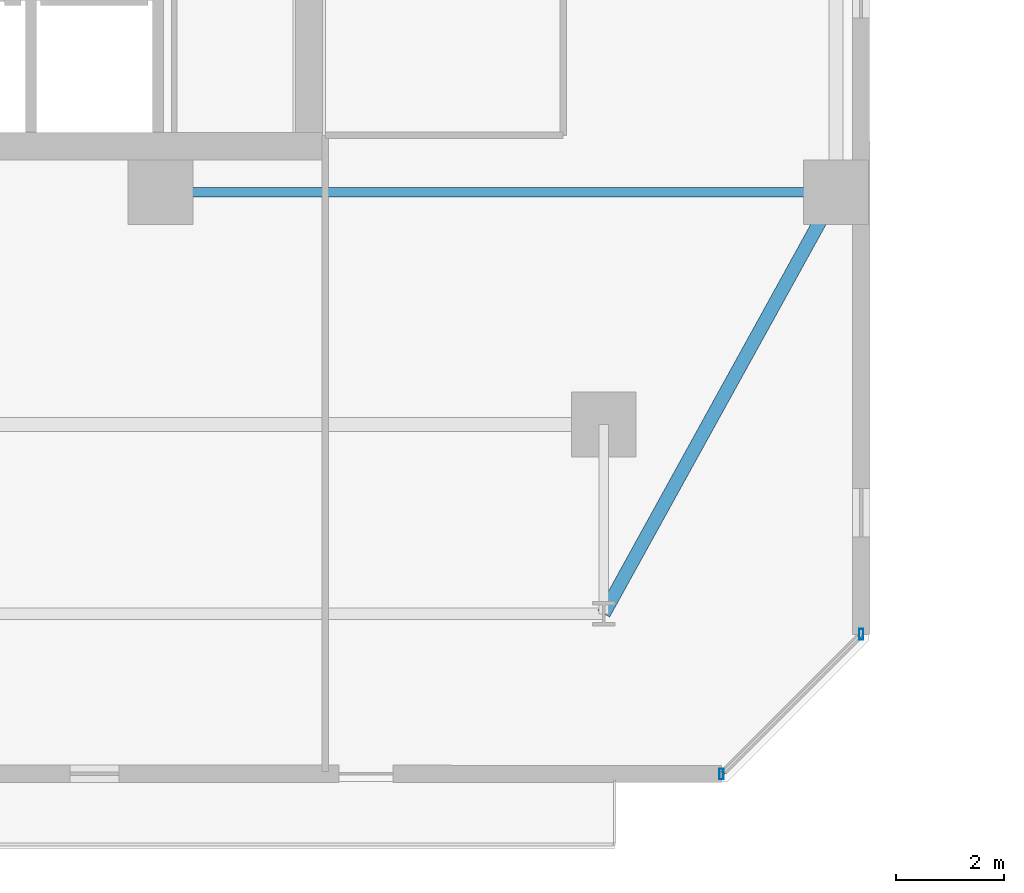
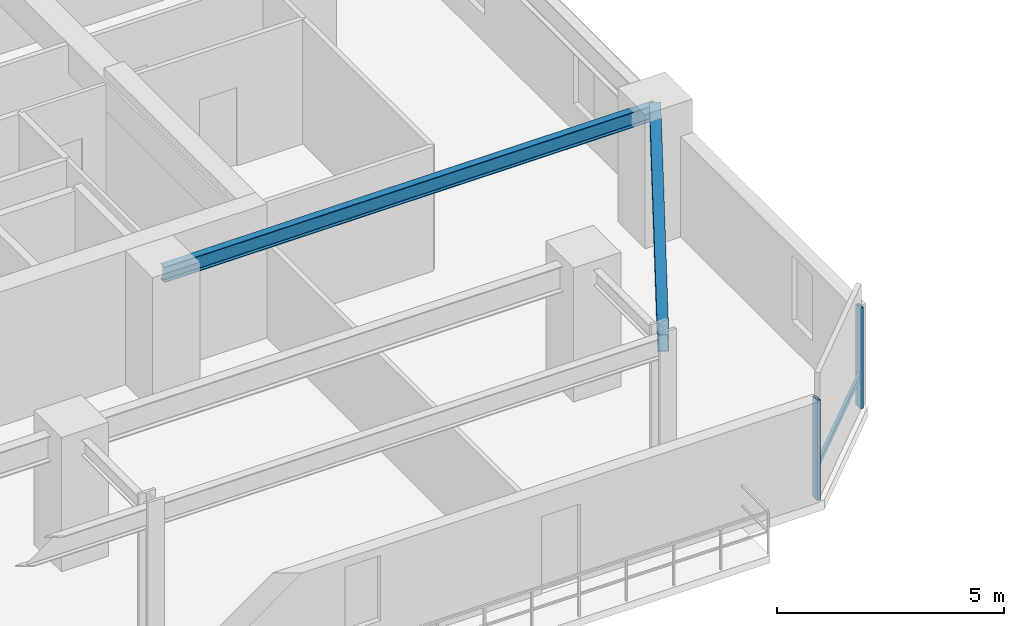
# One storey, part 5 of 32: 3 members, 2 beams, 1 element without a shape of its own.
"""IFC4 building model written with IfcOpenShell, lengths in metres."""

import ifcopenshell
import ifcopenshell.guid

model = None  # the IFC model being written
_history = None  # IfcOwnerHistory: only IFC2X3 demands one
_inside = {}  # id of a spatial element -> (the spatial element, [elements in it])
_under = {}  # id of a project, library or spatial element -> (it, [spatial elements below it])
_declared = {}  # id of a project -> (the project, [libraries it declares])
_typed = {}  # id of a type object -> (the type object, [elements of that type])
_made_of = {}  # id of a material, layer set ... -> (it, [elements and type objects made of it])


def new_model(schema):
    """Start an empty IFC model of exactly this schema.

    Asked for "IFC4X3", IfcOpenShell would pick the latest addendum, in which some entities
    have other attributes; the version numbers below select the first issue.
    IFC2X3 requires an IfcOwnerHistory on every rooted entity: one is made here for all.
    """
    global model, _history
    if schema == "IFC4X3":
        model = ifcopenshell.file(schema_version=(4, 3, 0, 0))
    else:
        model = ifcopenshell.file(schema=schema)
    _inside.clear()
    _under.clear()
    _declared.clear()
    _typed.clear()
    _made_of.clear()
    _history = None
    if model.schema == "IFC2X3":
        org = make("IfcOrganization", Name="unknown")
        user = make(
            "IfcPersonAndOrganization",
            ThePerson=make("IfcPerson", FamilyName="unknown"),
            TheOrganization=org,
        )
        app = make(
            "IfcApplication",
            ApplicationDeveloper=org,
            Version="unknown",
            ApplicationFullName="unknown",
            ApplicationIdentifier="unknown",
        )
        _history = make(
            "IfcOwnerHistory",
            OwningUser=user,
            OwningApplication=app,
            ChangeAction="ADDED",
            CreationDate=0,
        )
    return model


def make(cls, **values):
    """One entity of the class cls with the attributes given. An attribute that is None is left unset."""
    return model.create_entity(
        cls, **{name: value for name, value in values.items() if value is not None}
    )


def rooted(cls, **values):
    """An entity with a GlobalId (a new one), such as an element, a storey or a relation."""
    return make(cls, GlobalId=ifcopenshell.guid.new(), OwnerHistory=_history, **values)


def si_unit(unit_type, name, prefix=None):
    """IfcSIUnit, for example si_unit("LENGTHUNIT", "METRE", prefix="MILLI")."""
    return make("IfcSIUnit", UnitType=unit_type, Prefix=prefix, Name=name)


def assignment(units):
    """IfcUnitAssignment: the units of a project."""
    return None if units is None else make("IfcUnitAssignment", Units=units)


def point(xyz):
    """IfcCartesianPoint."""
    return None if xyz is None else make("IfcCartesianPoint", Coordinates=xyz)


def direction(xyz):
    """IfcDirection."""
    return None if xyz is None else make("IfcDirection", DirectionRatios=xyz)


def frame(location, z_axis=None, x_axis=None):
    """IfcAxis2Placement3D, a coordinate frame: its origin and axes. An axis left out is left unset."""
    return make(
        "IfcAxis2Placement3D",
        Location=point(location),
        Axis=direction(z_axis),
        RefDirection=direction(x_axis),
    )


def frame_2d(location, x_axis=None):
    """IfcAxis2Placement2D, a coordinate frame in the plane: its origin and x axis."""
    return make(
        "IfcAxis2Placement2D", Location=point(location), RefDirection=direction(x_axis)
    )


def origin():
    """The frame at (0, 0, 0) with its axes left unset."""
    return frame((0.0, 0.0, 0.0))


def origin_2d():
    """The frame at (0, 0) in the plane with its x axis left unset."""
    return frame_2d((0.0, 0.0))


def place(relative_to, where):
    """IfcLocalPlacement: puts the frame where relative to a parent placement (None: the world)."""
    return make(
        "IfcLocalPlacement", PlacementRelTo=relative_to, RelativePlacement=where
    )


def context(
    kind, dimensions, precision=None, world=None, true_north=None, identifier=None
):
    """IfcGeometricRepresentationContext, for example the 3D "Model" context."""
    return make(
        "IfcGeometricRepresentationContext",
        ContextIdentifier=identifier,
        ContextType=kind,
        CoordinateSpaceDimension=dimensions,
        Precision=precision,
        WorldCoordinateSystem=world,
        TrueNorth=true_north,
    )


def subcontext(parent, identifier, kind, view, scale=None):
    """IfcGeometricRepresentationSubContext, for example "Body" below "Model"."""
    return make(
        "IfcGeometricRepresentationSubContext",
        ContextIdentifier=identifier,
        ContextType=kind,
        ParentContext=parent,
        TargetScale=scale,
        TargetView=view,
    )


def project(units=None, contexts=None):
    """IfcProject with its units and contexts."""
    return rooted(
        "IfcProject",
        Name="project",
        RepresentationContexts=contexts,
        UnitsInContext=assignment(units),
    )


def spatial(cls, under=None, at=None, **own):
    """A site, building, storey or space (cls), placed at a placement, below another one or the project."""
    s = rooted(cls, ObjectPlacement=at, **own)
    if under is not None:
        _under.setdefault(under.id(), (under, []))[1].append(s)
    return s


def profile(cls, at=None, kind="AREA", **sizes):
    """A parametric profile (cls). Its sizes go by their IFC names, for example OverallWidth=200.0."""
    return make(cls, ProfileType=kind, Position=at, **sizes)


def hollow_rectangle(**sizes):
    """IfcRectangleHollowProfileDef."""
    return profile("IfcRectangleHollowProfileDef", **sizes)


def i_section(**sizes):
    """IfcIShapeProfileDef."""
    return profile("IfcIShapeProfileDef", **sizes)


def extrude(swept, where, along, depth):
    """IfcExtrudedAreaSolid: the profile swept, set in the frame where, extruded along a direction by depth."""
    return make(
        "IfcExtrudedAreaSolid",
        SweptArea=swept,
        Position=where,
        ExtrudedDirection=direction(along),
        Depth=depth,
    )


def shape(context_of_items, identifier, shape_type, items):
    """IfcShapeRepresentation: the items that make up one representation, for example the "Body"."""
    return make(
        "IfcShapeRepresentation",
        ContextOfItems=context_of_items,
        RepresentationIdentifier=identifier,
        RepresentationType=shape_type,
        Items=items,
    )


def material(Name=None, Category=None):
    """IfcMaterial."""
    return make("IfcMaterial", Name=Name, Category=Category)


def material_profile(
    of_material, cross_section, Name=None, Category=None, Priority=None
):
    """IfcMaterialProfile: a cross section and its material."""
    return make(
        "IfcMaterialProfile",
        Name=Name,
        Material=of_material,
        Profile=cross_section,
        Priority=Priority,
        Category=Category,
    )


def profile_set(profiles, Name=None, composite=None):
    """IfcMaterialProfileSet."""
    return make(
        "IfcMaterialProfileSet",
        Name=Name,
        MaterialProfiles=profiles,
        CompositeProfile=composite,
    )


def made_of(thing, what):
    """Note that an element or type object is made of a material, layer set ...; save() writes the relation."""
    if what is not None:
        _made_of.setdefault(what.id(), (what, []))[1].append(thing)
    return thing


def type_object(cls, material=None, **own):
    """A type object (cls), such as IfcWallType, which elements share."""
    return made_of(rooted(cls, **own), material)


def element(
    cls,
    number,
    at=None,
    inside=None,
    cuts=None,
    type_object=None,
    material=None,
    context=None,
    identifier="Body",
    shape_type=None,
    held_by="IfcProductDefinitionShape",
    body=None,
    shapes=None,
    **own,
):
    """One element of the class cls, such as IfcWall. Its Tag is "e" and its number.

    at: its placement. inside: the storey or other place that contains it. cuts: it is an
    opening in that element (IfcRelVoidsElement). A single representation is given by context,
    identifier, shape_type and body (its items); several are given by shapes. held_by: the class
    of the entity that holds the representations. save() writes the other relations.
    """
    e = rooted(cls, Tag="e%d" % number, ObjectPlacement=at, **own)
    if body is not None:
        shapes = [shape(context, identifier, shape_type, body)]
    if shapes is not None:
        e.Representation = make(held_by, Representations=shapes)
    if inside is not None:
        _inside.setdefault(inside.id(), (inside, []))[1].append(e)
    if cuts is not None:
        rooted(
            "IfcRelVoidsElement", RelatingBuildingElement=cuts, RelatedOpeningElement=e
        )
    if type_object is not None:
        _typed.setdefault(type_object.id(), (type_object, []))[1].append(e)
    return made_of(e, material)


def aggregate(whole, parts):
    """IfcRelAggregates: a whole, such as a stair, and the parts it consists of."""
    return rooted("IfcRelAggregates", RelatingObject=whole, RelatedObjects=parts)


def save(model, path):
    """Write the relations noted so far, then the file.

    IfcRelAggregates (storeys below a building ...), IfcRelContainedInSpatialStructure (elements
    in a storey), IfcRelDefinesByType, IfcRelAssociatesMaterial and IfcRelDeclares: one each for
    every whole, place, type object, material and project.
    """
    for whole, parts in _under.values():
        aggregate(whole, parts)
    for where, things in _inside.values():
        rooted(
            "IfcRelContainedInSpatialStructure",
            RelatedElements=things,
            RelatingStructure=where,
        )
    for kind, things in _typed.values():
        rooted("IfcRelDefinesByType", RelatedObjects=things, RelatingType=kind)
    for what, things in _made_of.values():
        rooted("IfcRelAssociatesMaterial", RelatedObjects=things, RelatingMaterial=what)
    for by, libraries in _declared.values():
        rooted("IfcRelDeclares", RelatingContext=by, RelatedDefinitions=libraries)
    model.write(path)


model = new_model("IFC4")

# Units and contexts
model_context = context("Model", 3, precision=1e-05, world=origin(), true_north=direction((0.0, 1.0)))
body_context = subcontext(model_context, "Body", "Model", "MODEL_VIEW")
ifc_project = project(units=[si_unit("LENGTHUNIT", "METRE"), si_unit("AREAUNIT", "SQUARE_METRE"), si_unit("VOLUMEUNIT", "CUBIC_METRE"), si_unit("PLANEANGLEUNIT", "RADIAN"), si_unit("MASSUNIT", "GRAM", prefix="KILO")], contexts=[model_context])

# Site, building, storey
site_placement = place(None, origin())
site = spatial("IfcSite", under=ifc_project, at=site_placement, CompositionType="ELEMENT")
building_placement = place(site_placement, origin())
building = spatial("IfcBuilding", under=site, at=building_placement, Name="Thornwick Lancets Civic Towers", CompositionType="ELEMENT")
storey_placement = place(building_placement, frame((0.0, 0.0, 123.300048828125)))
storey = spatial("IfcBuildingStorey", under=building, at=storey_placement, Name="L32", CompositionType="ELEMENT", Elevation=123.300048828125)

# Beams
ifc_material_1 = material(Name="Steel S355JR", Category="steel")
ifc_material_profile_1 = material_profile(ifc_material_1, i_section(OverallWidth=0.179443359375, OverallDepth=0.412841796875, WebThickness=0.009521484375, FlangeThickness=0.01611328125, FilletRadius=0.01025390625, at=origin_2d()), Name="UKB 406x178x74")
ifc_profile_set_1 = profile_set([ifc_material_profile_1], Name="Steel S355JR")
beam_type_1 = type_object("IfcBeamType", Name="BM_JOIST_406_74", PredefinedType="JOIST", material=ifc_profile_set_1)
beam_1_placement = place(storey_placement, frame((30.300048828125, 14.0, 3.153564453125), z_axis=(1.0, 0.0, 0.0), x_axis=(0.0, 1.0, 0.0)))
element("IfcBeam", 1, at=beam_1_placement, inside=storey, type_object=beam_type_1, Name="BM-RADIN-L32-A04", PredefinedType="JOIST", context=body_context, shape_type="SweptSolid", body=[
    extrude(i_section(OverallWidth=0.179443359375, OverallDepth=0.412841796875, WebThickness=0.009521484375, FlangeThickness=0.01611328125, FilletRadius=0.01025390625, at=origin_2d()), origin(), (0.0, 0.0, 1.0), 12.5),
])
ifc_material_profile_2 = material_profile(ifc_material_1, hollow_rectangle(XDim=0.25, YDim=0.449951171875, WallThickness=0.01611328125, at=origin_2d()), Name="RHS 450x250x16")
ifc_profile_set_2 = profile_set([ifc_material_profile_2], Name="Steel S355JR")
beam_type_2 = type_object("IfcBeamType", Name="BM_RING_RHS450", PredefinedType="BEAM", material=ifc_profile_set_2)
beam_2_placement = place(storey_placement, frame((38.5, 6.199951171875, 3.135009765625), z_axis=(0.482782395749, 0.875740348708, 0.0), x_axis=(-0.875740348708, 0.482782395749, 0.0)))
element("IfcBeam", 2, at=beam_2_placement, inside=storey, type_object=beam_type_2, Name="BM-CHAMF-L32-A-C0", PredefinedType="BEAM", context=body_context, shape_type="SweptSolid", body=[
    extrude(hollow_rectangle(XDim=0.25, YDim=0.449951171875, WallThickness=0.01611328125, at=origin_2d()), origin(), (0.0, 0.0, 1.0), 8.90673828125),
])

# Curtain wall, members
ifc_material_2 = material(Name="Mid-zone chamfered-corner unitised glass curtain wall", Category="glass")
curtain_wall_type = type_object("IfcCurtainWallType", Name="CW_SYS_04", PredefinedType="NOTDEFINED", material=ifc_material_2)
curtain_wall_placement = place(storey_placement, origin())
curtain_wall = element("IfcCurtainWall", 3, at=curtain_wall_placement, inside=storey, type_object=curtain_wall_type, Name="L32 Curtain Wall CW-L32-A-E1", PredefinedType="NOTDEFINED")
ifc_material_3 = material(Name="Thermally broken bronze aluminium S355", Category="steel")
ifc_material_profile_3 = material_profile(ifc_material_3, hollow_rectangle(XDim=0.080078125, YDim=0.199951171875, WallThickness=0.006103515625, at=origin_2d()), Name="RHS 200x80x6")
ifc_profile_set_3 = profile_set([ifc_material_profile_3], Name="Thermally broken bronze aluminium S355")
member_type_1 = type_object("IfcMemberType", Name="CW_MUL_200", PredefinedType="MULLION", material=ifc_profile_set_3)
member_1_placement = place(storey_placement, frame((40.681396484375, 3.2353515625, 0.0), z_axis=(0.0, 0.0, 1.0), x_axis=(1.0, 0.0, 0.0)))
member_1 = element("IfcMember", 4, at=member_1_placement, type_object=member_type_1, Name="CW-L32-A-E1 Mullion 0", PredefinedType="MULLION", context=body_context, shape_type="SweptSolid", body=[
    extrude(hollow_rectangle(XDim=0.080078125, YDim=0.199951171875, WallThickness=0.006103515625, at=origin_2d()), origin(), (0.0, 0.0, 1.0), 2.699951171875),
])
member_2_placement = place(storey_placement, frame((43.2646484375, 5.818603515625, 0.0), z_axis=(0.0, 0.0, 1.0), x_axis=(1.0, 0.0, 0.0)))
member_2 = element("IfcMember", 5, at=member_2_placement, type_object=member_type_1, Name="CW-L32-A-E1 Mullion 1", PredefinedType="MULLION", context=body_context, shape_type="SweptSolid", body=[
    extrude(hollow_rectangle(XDim=0.080078125, YDim=0.199951171875, WallThickness=0.006103515625, at=origin_2d()), origin(), (0.0, 0.0, 1.0), 2.699951171875),
])
ifc_material_profile_4 = material_profile(ifc_material_3, hollow_rectangle(XDim=0.074951171875, YDim=0.14990234375, WallThickness=0.0048828125, at=origin_2d()), Name="RHS 150x75x5")
ifc_profile_set_4 = profile_set([ifc_material_profile_4], Name="Thermally broken bronze aluminium S355")
member_type_2 = type_object("IfcMemberType", Name="CW_TRN_150", PredefinedType="USERDEFINED", material=ifc_profile_set_4)
member_3_placement = place(storey_placement, frame((40.695556640625, 3.24951171875, 0.849853515625), z_axis=(0.707106781187, 0.707106781187, 0.0), x_axis=(-0.707106781187, 0.707106781187, 0.0)))
member_3 = element("IfcMember", 6, at=member_3_placement, type_object=member_type_2, Name="CW-L32-A-E1 Transom 0", ObjectType="TRANSOM", PredefinedType="USERDEFINED", context=body_context, shape_type="SweptSolid", body=[
    extrude(hollow_rectangle(XDim=0.074951171875, YDim=0.14990234375, WallThickness=0.0048828125, at=origin_2d()), origin(), (0.0, 0.0, 1.0), 3.61328125),
])
aggregate(curtain_wall, [member_1, member_2, member_3])

save(model, "model.ifc")
